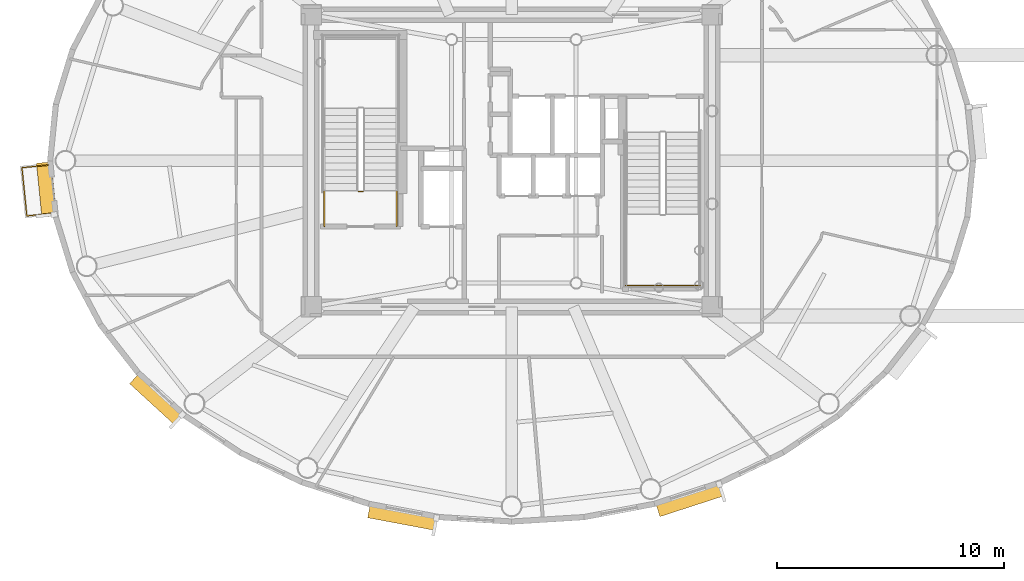
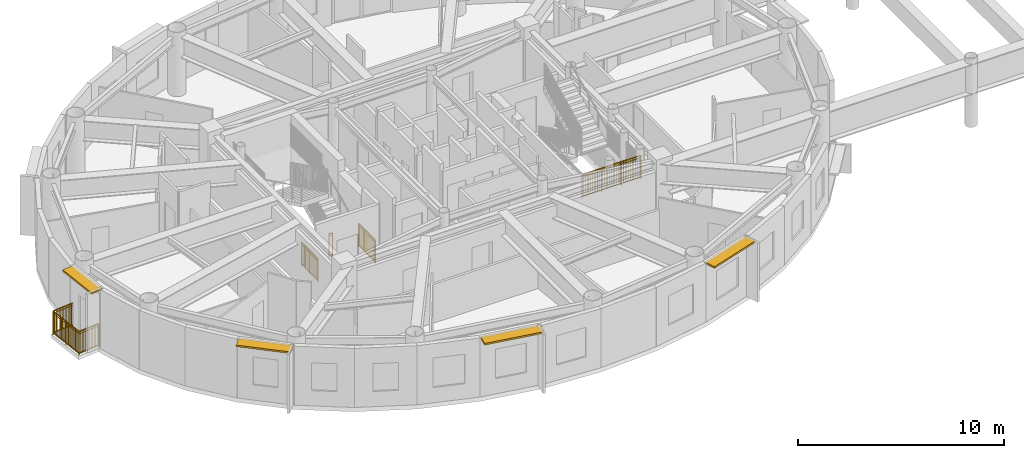
# One storey, part 11 of 16: 5 railings, 4 shading devices.
"""IFC4 building model written with IfcOpenShell, lengths in metres."""

from ifc_helpers import new_model, si_unit, direction, frame, origin, origin_2d, place, context, subcontext, project, spatial, rectangle, extrude, source, transform, mapped, material, layer, layer_set, type_object, element, save


model = new_model("IFC4")

# Units and contexts
model_context = context("Model", 3, precision=1e-05, world=origin(), true_north=direction((0.0, 1.0)))
body_context = subcontext(model_context, "Body", "Model", "MODEL_VIEW")
ifc_project = project(units=[si_unit("LENGTHUNIT", "METRE"), si_unit("AREAUNIT", "SQUARE_METRE"), si_unit("VOLUMEUNIT", "CUBIC_METRE"), si_unit("PLANEANGLEUNIT", "RADIAN"), si_unit("MASSUNIT", "GRAM", prefix="KILO")], contexts=[model_context])

# Site, building, storey
site_placement = place(None, origin())
site = spatial("IfcSite", under=ifc_project, at=site_placement, CompositionType="ELEMENT")
building_placement = place(site_placement, origin())
building = spatial("IfcBuilding", under=site, at=building_placement, Name="Linh Dai School and Residence Tower", CompositionType="ELEMENT")
storey_placement = place(building_placement, frame((0.0, 0.0, 343.0)))
storey = spatial("IfcBuildingStorey", under=building, at=storey_placement, Name="L85", CompositionType="ELEMENT", Elevation=343.0)

# Shading devices
ifc_material_1 = material(Name="Terracotta Ceramic Sunshade", Category="masonry")
ifc_layer = layer(ifc_material_1, 0.10009765625)
ifc_layer_set = layer_set([ifc_layer], Name="Terracotta Ceramic Sunshade")
shading_device_type = type_object("IfcShadingDeviceType", Name="SHD-TC-650", PredefinedType="USERDEFINED", material=ifc_layer_set)
shared_shape_1 = source(origin(), body_context, "Body", "SweptSolid", [
    extrude(rectangle(XDim=2.3994140625, YDim=0.64990234375, at=origin_2d()), origin(), (0.0, 0.0, 1.0), 0.10009765625),
])
shading_device_1_placement = place(storey_placement, frame((15.46630859375, 25.72802734375, 3.3798828125), z_axis=(0.0, 0.0, 1.0), x_axis=(-0.099991763355, 0.994988264886, 0.0)))
element("IfcShadingDevice", 1, at=shading_device_1_placement, inside=storey, type_object=shading_device_type, Name="L85 Terracotta Horizontal Sunshade Band 21", ObjectType="SUNSHADE", PredefinedType="USERDEFINED", context=body_context, shape_type="MappedRepresentation", body=[
    mapped(shared_shape_1, transform((0.0, 0.0, 0.0), x_axis=(1.0, 0.0, 0.0), y_axis=(0.0, 1.0, 0.0), z_axis=(0.0, 0.0, 1.0), scale=1.0)),
])
shared_shape_2 = source(origin(), body_context, "Body", "SweptSolid", [
    extrude(rectangle(XDim=2.7021484375, YDim=0.64990234375, at=origin_2d()), origin(), (0.0, 0.0, 1.0), 0.10009765625),
])
shading_device_2_placement = place(storey_placement, frame((20.3515625, 16.48681640625, 3.3798828125), z_axis=(0.0, 0.0, 1.0), x_axis=(-0.73704750866, 0.675840935412, 0.0)))
element("IfcShadingDevice", 2, at=shading_device_2_placement, inside=storey, type_object=shading_device_type, Name="L85 Terracotta Horizontal Sunshade Band 25", ObjectType="SUNSHADE", PredefinedType="USERDEFINED", context=body_context, shape_type="MappedRepresentation", body=[
    mapped(shared_shape_2, transform((0.0, 0.0, 0.0), x_axis=(1.0, 0.0, 0.0), y_axis=(0.0, 1.0, 0.0), z_axis=(0.0, 0.0, 1.0), scale=1.0)),
])
shared_shape_3 = source(origin(), body_context, "Body", "SweptSolid", [
    extrude(rectangle(XDim=3.040283203125, YDim=0.64990234375, at=origin_2d()), origin(), (0.0, 0.0, 1.0), 0.10009765625),
])
shading_device_3_placement = place(storey_placement, frame((31.199462890625, 11.279296875, 3.3798828125), z_axis=(0.0, 0.0, 1.0), x_axis=(-0.982779051851, 0.184784564405, 0.0)))
element("IfcShadingDevice", 3, at=shading_device_3_placement, inside=storey, type_object=shading_device_type, Name="L85 Terracotta Horizontal Sunshade Band 29", ObjectType="SUNSHADE", PredefinedType="USERDEFINED", context=body_context, shape_type="MappedRepresentation", body=[
    mapped(shared_shape_3, transform((0.0, 0.0, 0.0), x_axis=(1.0, 0.0, 0.0), y_axis=(0.0, 1.0, 0.0), z_axis=(0.0, 0.0, 1.0), scale=1.0)),
])
shared_shape_4 = source(origin(), body_context, "Body", "SweptSolid", [
    extrude(rectangle(XDim=2.98388671875, YDim=0.64990234375, at=origin_2d()), origin(), (0.0, 0.0, 1.0), 0.10009765625),
])
shading_device_4_placement = place(storey_placement, frame((43.8701171875, 12.060302734375, 3.3798828125), z_axis=(0.0, 0.0, 1.0), x_axis=(-0.951203168298, -0.30856528097, 0.0)))
element("IfcShadingDevice", 4, at=shading_device_4_placement, inside=storey, type_object=shading_device_type, Name="L85 Terracotta Horizontal Sunshade Band 33", ObjectType="SUNSHADE", PredefinedType="USERDEFINED", context=body_context, shape_type="MappedRepresentation", body=[
    mapped(shared_shape_4, transform((0.0, 0.0, 0.0), x_axis=(1.0, 0.0, 0.0), y_axis=(0.0, 1.0, 0.0), z_axis=(0.0, 0.0, 1.0), scale=1.0)),
])

# Railings
ifc_material_2 = material(Name="Structural Steel S355JR", Category="steel")
railing_type_1 = type_object("IfcRailingType", Name="RL-BAL-1400", PredefinedType="BALUSTRADE", material=ifc_material_2)
shared_shape_5 = source(origin(), body_context, "Body", "SweptSolid", [
    extrude(rectangle(XDim=0.048095703125, YDim=0.048095703125, at=origin_2d()), frame((0.0, 0.0, 1.3759765625), z_axis=(-0.994996143538, -0.099913334164, 0.0), x_axis=(0.099913334164, -0.994996143538, 0.0)), (0.0, 0.0, 1.0), 1.18017578125),
    extrude(rectangle(XDim=0.048095703125, YDim=0.048095703125, at=origin_2d()), frame((0.0, 0.0, 0.10009765625), z_axis=(-0.994996143538, -0.099913334164, 0.0), x_axis=(0.099913334164, -0.994996143538, 0.0)), (0.0, 0.0, 1.0), 1.18017578125),
    extrude(rectangle(XDim=0.030029296875, YDim=0.030029296875, at=origin_2d()), frame((0.0, 0.0, 1.239990234375), z_axis=(-0.994996143538, -0.099913334164, 0.0), x_axis=(0.099913334164, -0.994996143538, 0.0)), (0.0, 0.0, 1.0), 1.18017578125),
    extrude(rectangle(XDim=0.02001953125, YDim=0.02001953125, at=origin_2d()), frame((-0.09033203125, -0.009033203125, 0.10009765625)), (0.0, 0.0, 1.0), 1.251708984375),
    extrude(rectangle(XDim=0.02001953125, YDim=0.02001953125, at=origin_2d()), frame((-0.1806640625, -0.01806640625, 0.10009765625)), (0.0, 0.0, 1.0), 1.251708984375),
    extrude(rectangle(XDim=0.02001953125, YDim=0.02001953125, at=origin_2d()), frame((-0.27099609375, -0.027099609375, 0.10009765625)), (0.0, 0.0, 1.0), 1.251708984375),
    extrude(rectangle(XDim=0.02001953125, YDim=0.02001953125, at=origin_2d()), frame((-0.361328125, -0.036376953125, 0.10009765625)), (0.0, 0.0, 1.0), 1.251708984375),
    extrude(rectangle(XDim=0.02001953125, YDim=0.02001953125, at=origin_2d()), frame((-0.45166015625, -0.04541015625, 0.10009765625)), (0.0, 0.0, 1.0), 1.251708984375),
    extrude(rectangle(XDim=0.02001953125, YDim=0.02001953125, at=origin_2d()), frame((-0.5419921875, -0.054443359375, 0.10009765625)), (0.0, 0.0, 1.0), 1.251708984375),
    extrude(rectangle(XDim=0.02001953125, YDim=0.02001953125, at=origin_2d()), frame((-0.63232421875, -0.0634765625, 0.10009765625)), (0.0, 0.0, 1.0), 1.251708984375),
    extrude(rectangle(XDim=0.02001953125, YDim=0.02001953125, at=origin_2d()), frame((-0.72265625, -0.072509765625, 0.10009765625)), (0.0, 0.0, 1.0), 1.251708984375),
    extrude(rectangle(XDim=0.02001953125, YDim=0.02001953125, at=origin_2d()), frame((-0.81298828125, -0.08154296875, 0.10009765625)), (0.0, 0.0, 1.0), 1.251708984375),
    extrude(rectangle(XDim=0.02001953125, YDim=0.02001953125, at=origin_2d()), frame((-0.9033203125, -0.0908203125, 0.10009765625)), (0.0, 0.0, 1.0), 1.251708984375),
    extrude(rectangle(XDim=0.02001953125, YDim=0.02001953125, at=origin_2d()), frame((-0.99365234375, -0.099853515625, 0.10009765625)), (0.0, 0.0, 1.0), 1.251708984375),
    extrude(rectangle(XDim=0.02001953125, YDim=0.02001953125, at=origin_2d()), frame((-1.083984375, -0.10888671875, 0.10009765625)), (0.0, 0.0, 1.0), 1.251708984375),
    extrude(rectangle(XDim=0.048095703125, YDim=0.048095703125, at=origin_2d()), frame((-1.17431640625, -0.117919921875, 1.3759765625), z_axis=(-0.099978309742, 0.994989616821, 0.0), x_axis=(-0.994989616821, -0.099978309742, 0.0)), (0.0, 0.0, 1.0), 2.13916015625),
    extrude(rectangle(XDim=0.048095703125, YDim=0.048095703125, at=origin_2d()), frame((-1.17431640625, -0.117919921875, 0.10009765625), z_axis=(-0.099978309742, 0.994989616821, 0.0), x_axis=(-0.994989616821, -0.099978309742, 0.0)), (0.0, 0.0, 1.0), 2.13916015625),
    extrude(rectangle(XDim=0.030029296875, YDim=0.030029296875, at=origin_2d()), frame((-1.17431640625, -0.117919921875, 1.239990234375), z_axis=(-0.099978309742, 0.994989616821, 0.0), x_axis=(-0.994989616821, -0.099978309742, 0.0)), (0.0, 0.0, 1.0), 2.13916015625),
    extrude(rectangle(XDim=0.02001953125, YDim=0.02001953125, at=origin_2d()), frame((-1.18408203125, -0.021240234375, 0.10009765625)), (0.0, 0.0, 1.0), 1.251708984375),
    extrude(rectangle(XDim=0.02001953125, YDim=0.02001953125, at=origin_2d()), frame((-1.19384765625, 0.07568359375, 0.10009765625)), (0.0, 0.0, 1.0), 1.251708984375),
    extrude(rectangle(XDim=0.02001953125, YDim=0.02001953125, at=origin_2d()), frame((-1.203369140625, 0.17236328125, 0.10009765625)), (0.0, 0.0, 1.0), 1.251708984375),
    extrude(rectangle(XDim=0.02001953125, YDim=0.02001953125, at=origin_2d()), frame((-1.213134765625, 0.26904296875, 0.10009765625)), (0.0, 0.0, 1.0), 1.251708984375),
    extrude(rectangle(XDim=0.02001953125, YDim=0.02001953125, at=origin_2d()), frame((-1.222900390625, 0.36572265625, 0.10009765625)), (0.0, 0.0, 1.0), 1.251708984375),
    extrude(rectangle(XDim=0.02001953125, YDim=0.02001953125, at=origin_2d()), frame((-1.232666015625, 0.462646484375, 0.10009765625)), (0.0, 0.0, 1.0), 1.251708984375),
    extrude(rectangle(XDim=0.02001953125, YDim=0.02001953125, at=origin_2d()), frame((-1.242431640625, 0.559326171875, 0.10009765625)), (0.0, 0.0, 1.0), 1.251708984375),
    extrude(rectangle(XDim=0.02001953125, YDim=0.02001953125, at=origin_2d()), frame((-1.252197265625, 0.656005859375, 0.10009765625)), (0.0, 0.0, 1.0), 1.251708984375),
    extrude(rectangle(XDim=0.02001953125, YDim=0.02001953125, at=origin_2d()), frame((-1.26171875, 0.752685546875, 0.10009765625)), (0.0, 0.0, 1.0), 1.251708984375),
    extrude(rectangle(XDim=0.02001953125, YDim=0.02001953125, at=origin_2d()), frame((-1.271484375, 0.849609375, 0.10009765625)), (0.0, 0.0, 1.0), 1.251708984375),
    extrude(rectangle(XDim=0.02001953125, YDim=0.02001953125, at=origin_2d()), frame((-1.291015625, 1.04296875, 0.10009765625)), (0.0, 0.0, 1.0), 1.251708984375),
    extrude(rectangle(XDim=0.02001953125, YDim=0.02001953125, at=origin_2d()), frame((-1.30078125, 1.139892578125, 0.10009765625)), (0.0, 0.0, 1.0), 1.251708984375),
    extrude(rectangle(XDim=0.02001953125, YDim=0.02001953125, at=origin_2d()), frame((-1.310302734375, 1.236572265625, 0.10009765625)), (0.0, 0.0, 1.0), 1.251708984375),
    extrude(rectangle(XDim=0.02001953125, YDim=0.02001953125, at=origin_2d()), frame((-1.320068359375, 1.333251953125, 0.10009765625)), (0.0, 0.0, 1.0), 1.251708984375),
    extrude(rectangle(XDim=0.02001953125, YDim=0.02001953125, at=origin_2d()), frame((-1.329833984375, 1.429931640625, 0.10009765625)), (0.0, 0.0, 1.0), 1.251708984375),
    extrude(rectangle(XDim=0.02001953125, YDim=0.02001953125, at=origin_2d()), frame((-1.339599609375, 1.52685546875, 0.10009765625)), (0.0, 0.0, 1.0), 1.251708984375),
    extrude(rectangle(XDim=0.02001953125, YDim=0.02001953125, at=origin_2d()), frame((-1.349365234375, 1.62353515625, 0.10009765625)), (0.0, 0.0, 1.0), 1.251708984375),
    extrude(rectangle(XDim=0.02001953125, YDim=0.02001953125, at=origin_2d()), frame((-1.359130859375, 1.72021484375, 0.10009765625)), (0.0, 0.0, 1.0), 1.251708984375),
    extrude(rectangle(XDim=0.02001953125, YDim=0.02001953125, at=origin_2d()), frame((-1.36865234375, 1.81689453125, 0.10009765625)), (0.0, 0.0, 1.0), 1.251708984375),
    extrude(rectangle(XDim=0.02001953125, YDim=0.02001953125, at=origin_2d()), frame((-1.37841796875, 1.913818359375, 0.10009765625)), (0.0, 0.0, 1.0), 1.251708984375),
    extrude(rectangle(XDim=0.048095703125, YDim=0.048095703125, at=origin_2d()), frame((-1.38818359375, 2.010498046875, 1.3759765625), z_axis=(0.99497348416, 0.100138732862, 0.0), x_axis=(-0.100138732862, 0.99497348416, 0.0)), (0.0, 0.0, 1.0), 1.179931640625),
    extrude(rectangle(XDim=0.048095703125, YDim=0.048095703125, at=origin_2d()), frame((-1.38818359375, 2.010498046875, 0.10009765625), z_axis=(0.99497348416, 0.100138732862, 0.0), x_axis=(-0.100138732862, 0.99497348416, 0.0)), (0.0, 0.0, 1.0), 1.179931640625),
    extrude(rectangle(XDim=0.030029296875, YDim=0.030029296875, at=origin_2d()), frame((-1.38818359375, 2.010498046875, 1.239990234375), z_axis=(0.99497348416, 0.100138732862, 0.0), x_axis=(-0.100138732862, 0.99497348416, 0.0)), (0.0, 0.0, 1.0), 1.179931640625),
    extrude(rectangle(XDim=0.02001953125, YDim=0.02001953125, at=origin_2d()), frame((-1.2978515625, 2.01953125, 0.10009765625)), (0.0, 0.0, 1.0), 1.251708984375),
    extrude(rectangle(XDim=0.02001953125, YDim=0.02001953125, at=origin_2d()), frame((-1.20751953125, 2.028564453125, 0.10009765625)), (0.0, 0.0, 1.0), 1.251708984375),
    extrude(rectangle(XDim=0.02001953125, YDim=0.02001953125, at=origin_2d()), frame((-1.1171875, 2.037841796875, 0.10009765625)), (0.0, 0.0, 1.0), 1.251708984375),
    extrude(rectangle(XDim=0.02001953125, YDim=0.02001953125, at=origin_2d()), frame((-1.02685546875, 2.046875, 0.10009765625)), (0.0, 0.0, 1.0), 1.251708984375),
    extrude(rectangle(XDim=0.02001953125, YDim=0.02001953125, at=origin_2d()), frame((-0.9365234375, 2.055908203125, 0.10009765625)), (0.0, 0.0, 1.0), 1.251708984375),
    extrude(rectangle(XDim=0.02001953125, YDim=0.02001953125, at=origin_2d()), frame((-0.84619140625, 2.06494140625, 0.10009765625)), (0.0, 0.0, 1.0), 1.251708984375),
    extrude(rectangle(XDim=0.02001953125, YDim=0.02001953125, at=origin_2d()), frame((-0.756103515625, 2.07421875, 0.10009765625)), (0.0, 0.0, 1.0), 1.251708984375),
    extrude(rectangle(XDim=0.02001953125, YDim=0.02001953125, at=origin_2d()), frame((-0.665771484375, 2.083251953125, 0.10009765625)), (0.0, 0.0, 1.0), 1.251708984375),
    extrude(rectangle(XDim=0.02001953125, YDim=0.02001953125, at=origin_2d()), frame((-0.575439453125, 2.09228515625, 0.10009765625)), (0.0, 0.0, 1.0), 1.251708984375),
    extrude(rectangle(XDim=0.02001953125, YDim=0.02001953125, at=origin_2d()), frame((-0.485107421875, 2.101318359375, 0.10009765625)), (0.0, 0.0, 1.0), 1.251708984375),
    extrude(rectangle(XDim=0.02001953125, YDim=0.02001953125, at=origin_2d()), frame((-0.394775390625, 2.110595703125, 0.10009765625)), (0.0, 0.0, 1.0), 1.251708984375),
    extrude(rectangle(XDim=0.02001953125, YDim=0.02001953125, at=origin_2d()), frame((-0.304443359375, 2.11962890625, 0.10009765625)), (0.0, 0.0, 1.0), 1.251708984375),
    extrude(rectangle(XDim=0.0419921875, YDim=0.0419921875, at=origin_2d()), origin(), (0.0, 0.0, 1.0), 1.3759765625),
    extrude(rectangle(XDim=0.0419921875, YDim=0.0419921875, at=origin_2d()), frame((-1.17431640625, -0.117919921875, 0.0)), (0.0, 0.0, 1.0), 1.3759765625),
    extrude(rectangle(XDim=0.0419921875, YDim=0.0419921875, at=origin_2d()), frame((-1.28125, 0.9462890625, 0.0)), (0.0, 0.0, 1.0), 1.3759765625),
    extrude(rectangle(XDim=0.0419921875, YDim=0.0419921875, at=origin_2d()), frame((-1.38818359375, 2.010498046875, 0.0)), (0.0, 0.0, 1.0), 1.3759765625),
    extrude(rectangle(XDim=0.0419921875, YDim=0.0419921875, at=origin_2d()), frame((-0.214111328125, 2.128662109375, 0.0)), (0.0, 0.0, 1.0), 1.3759765625),
])
railing_1_placement = place(storey_placement, frame((15.7724609375, 24.683837890625, 0.0)))
element("IfcRailing", 5, at=railing_1_placement, inside=storey, type_object=railing_type_1, Name="L85 Balcony Safety Balustrade 21", PredefinedType="BALUSTRADE", context=body_context, shape_type="MappedRepresentation", body=[
    mapped(shared_shape_5, transform((0.0, 0.0, 0.0), x_axis=(1.0, 0.0, 0.0), y_axis=(0.0, 1.0, 0.0), z_axis=(0.0, 0.0, 1.0), scale=1.0)),
])
railing_type_2 = type_object("IfcRailingType", Name="RL-ST-GUARD-1400", PredefinedType="GUARDRAIL", material=ifc_material_2)
shared_shape_6 = source(origin(), body_context, "Body", "SweptSolid", [
    extrude(rectangle(XDim=0.048095703125, YDim=0.048095703125, at=origin_2d()), frame((0.0, 0.0, 1.3759765625), z_axis=(-1.0, 0.0, 0.0), x_axis=(0.0, -1.0, 0.0)), (0.0, 0.0, 1.0), 0.199951171875),
    extrude(rectangle(XDim=0.048095703125, YDim=0.048095703125, at=origin_2d()), frame((0.0, 0.0, 0.10009765625), z_axis=(-1.0, 0.0, 0.0), x_axis=(0.0, -1.0, 0.0)), (0.0, 0.0, 1.0), 0.199951171875),
    extrude(rectangle(XDim=0.030029296875, YDim=0.030029296875, at=origin_2d()), frame((0.0, 0.0, 1.239990234375), z_axis=(-1.0, 0.0, 0.0), x_axis=(0.0, -1.0, 0.0)), (0.0, 0.0, 1.0), 0.199951171875),
    extrude(rectangle(XDim=0.0419921875, YDim=0.0419921875, at=origin_2d()), origin(), (0.0, 0.0, 1.0), 1.3759765625),
    extrude(rectangle(XDim=0.0419921875, YDim=0.0419921875, at=origin_2d()), frame((-0.199951171875, 0.0, 0.0)), (0.0, 0.0, 1.0), 1.3759765625),
])
railing_2_placement = place(storey_placement, frame((29.429931640625, 25.64990234375, 0.0)))
element("IfcRailing", 6, at=railing_2_placement, inside=storey, type_object=railing_type_2, Name="L85 ST1 stair guard 7", PredefinedType="GUARDRAIL", context=body_context, shape_type="MappedRepresentation", body=[
    mapped(shared_shape_6, transform((0.0, 0.0, 0.0), x_axis=(1.0, 0.0, 0.0), y_axis=(0.0, 1.0, 0.0), z_axis=(0.0, 0.0, 1.0), scale=1.0)),
])
shared_shape_7 = source(origin(), body_context, "Body", "SweptSolid", [
    extrude(rectangle(XDim=0.048095703125, YDim=0.048095703125, at=origin_2d()), frame((0.0, 0.0, 1.3759765625), z_axis=(0.0, 1.0, 0.0), x_axis=(-1.0, 0.0, 0.0)), (0.0, 0.0, 1.0), 1.599853515625),
    extrude(rectangle(XDim=0.048095703125, YDim=0.048095703125, at=origin_2d()), frame((0.0, 0.0, 0.10009765625), z_axis=(0.0, 1.0, 0.0), x_axis=(-1.0, 0.0, 0.0)), (0.0, 0.0, 1.0), 1.599853515625),
    extrude(rectangle(XDim=0.030029296875, YDim=0.030029296875, at=origin_2d()), frame((0.0, 0.0, 1.239990234375), z_axis=(0.0, 1.0, 0.0), x_axis=(-1.0, 0.0, 0.0)), (0.0, 0.0, 1.0), 1.599853515625),
    extrude(rectangle(XDim=0.02001953125, YDim=0.02001953125, at=origin_2d()), frame((0.0, 0.093994140625, 0.10009765625)), (0.0, 0.0, 1.0), 1.251708984375),
    extrude(rectangle(XDim=0.02001953125, YDim=0.02001953125, at=origin_2d()), frame((0.0, 0.188232421875, 0.10009765625)), (0.0, 0.0, 1.0), 1.251708984375),
    extrude(rectangle(XDim=0.02001953125, YDim=0.02001953125, at=origin_2d()), frame((0.0, 0.2822265625, 0.10009765625)), (0.0, 0.0, 1.0), 1.251708984375),
    extrude(rectangle(XDim=0.02001953125, YDim=0.02001953125, at=origin_2d()), frame((0.0, 0.37646484375, 0.10009765625)), (0.0, 0.0, 1.0), 1.251708984375),
    extrude(rectangle(XDim=0.02001953125, YDim=0.02001953125, at=origin_2d()), frame((0.0, 0.470458984375, 0.10009765625)), (0.0, 0.0, 1.0), 1.251708984375),
    extrude(rectangle(XDim=0.02001953125, YDim=0.02001953125, at=origin_2d()), frame((0.0, 0.564697265625, 0.10009765625)), (0.0, 0.0, 1.0), 1.251708984375),
    extrude(rectangle(XDim=0.02001953125, YDim=0.02001953125, at=origin_2d()), frame((0.0, 0.65869140625, 0.10009765625)), (0.0, 0.0, 1.0), 1.251708984375),
    extrude(rectangle(XDim=0.02001953125, YDim=0.02001953125, at=origin_2d()), frame((0.0, 0.7529296875, 0.10009765625)), (0.0, 0.0, 1.0), 1.251708984375),
    extrude(rectangle(XDim=0.02001953125, YDim=0.02001953125, at=origin_2d()), frame((0.0, 0.846923828125, 0.10009765625)), (0.0, 0.0, 1.0), 1.251708984375),
    extrude(rectangle(XDim=0.02001953125, YDim=0.02001953125, at=origin_2d()), frame((0.0, 0.941162109375, 0.10009765625)), (0.0, 0.0, 1.0), 1.251708984375),
    extrude(rectangle(XDim=0.02001953125, YDim=0.02001953125, at=origin_2d()), frame((0.0, 1.03515625, 0.10009765625)), (0.0, 0.0, 1.0), 1.251708984375),
    extrude(rectangle(XDim=0.02001953125, YDim=0.02001953125, at=origin_2d()), frame((0.0, 1.12939453125, 0.10009765625)), (0.0, 0.0, 1.0), 1.251708984375),
    extrude(rectangle(XDim=0.02001953125, YDim=0.02001953125, at=origin_2d()), frame((0.0, 1.223388671875, 0.10009765625)), (0.0, 0.0, 1.0), 1.251708984375),
    extrude(rectangle(XDim=0.02001953125, YDim=0.02001953125, at=origin_2d()), frame((0.0, 1.317626953125, 0.10009765625)), (0.0, 0.0, 1.0), 1.251708984375),
    extrude(rectangle(XDim=0.02001953125, YDim=0.02001953125, at=origin_2d()), frame((0.0, 1.41162109375, 0.10009765625)), (0.0, 0.0, 1.0), 1.251708984375),
    extrude(rectangle(XDim=0.02001953125, YDim=0.02001953125, at=origin_2d()), frame((0.0, 1.505859375, 0.10009765625)), (0.0, 0.0, 1.0), 1.251708984375),
    extrude(rectangle(XDim=0.0419921875, YDim=0.0419921875, at=origin_2d()), origin(), (0.0, 0.0, 1.0), 1.3759765625),
    extrude(rectangle(XDim=0.0419921875, YDim=0.0419921875, at=origin_2d()), frame((0.0, 0.7998046875, 0.0)), (0.0, 0.0, 1.0), 1.3759765625),
    extrude(rectangle(XDim=0.0419921875, YDim=0.0419921875, at=origin_2d()), frame((0.0, 1.599853515625, 0.0)), (0.0, 0.0, 1.0), 1.3759765625),
])
for number, where, name in (
    (7, (30.929931640625, 24.10009765625, 0.0), "L85 ST1 stair guard 8"),
    (8, (27.72998046875, 24.10009765625, 0.0), "L85 ST1 stair guard 9"),
):
    element("IfcRailing", number, at=place(storey_placement, frame(where)), inside=storey, type_object=railing_type_2, Name=name, PredefinedType="GUARDRAIL", context=body_context, shape_type="MappedRepresentation", body=[
        mapped(shared_shape_7, transform((0.0, 0.0, 0.0), x_axis=(1.0, 0.0, 0.0), y_axis=(0.0, 1.0, 0.0), z_axis=(0.0, 0.0, 1.0), scale=1.0)),
    ])
shared_shape_8 = source(origin(), body_context, "Body", "SweptSolid", [
    extrude(rectangle(XDim=0.048095703125, YDim=0.048095703125, at=origin_2d()), frame((0.0, 0.0, 1.3759765625), z_axis=(1.0, 0.0, 0.0), x_axis=(0.0, 1.0, 0.0)), (0.0, 0.0, 1.0), 3.300048828125),
    extrude(rectangle(XDim=0.048095703125, YDim=0.048095703125, at=origin_2d()), frame((0.0, 0.0, 0.10009765625), z_axis=(1.0, 0.0, 0.0), x_axis=(0.0, 1.0, 0.0)), (0.0, 0.0, 1.0), 3.300048828125),
    extrude(rectangle(XDim=0.030029296875, YDim=0.030029296875, at=origin_2d()), frame((0.0, 0.0, 1.239990234375), z_axis=(1.0, 0.0, 0.0), x_axis=(0.0, 1.0, 0.0)), (0.0, 0.0, 1.0), 3.300048828125),
    extrude(rectangle(XDim=0.02001953125, YDim=0.02001953125, at=origin_2d()), frame((0.09716796875, 0.0, 0.10009765625)), (0.0, 0.0, 1.0), 1.251708984375),
    extrude(rectangle(XDim=0.02001953125, YDim=0.02001953125, at=origin_2d()), frame((0.194091796875, 0.0, 0.10009765625)), (0.0, 0.0, 1.0), 1.251708984375),
    extrude(rectangle(XDim=0.02001953125, YDim=0.02001953125, at=origin_2d()), frame((0.291259765625, 0.0, 0.10009765625)), (0.0, 0.0, 1.0), 1.251708984375),
    extrude(rectangle(XDim=0.02001953125, YDim=0.02001953125, at=origin_2d()), frame((0.38818359375, 0.0, 0.10009765625)), (0.0, 0.0, 1.0), 1.251708984375),
    extrude(rectangle(XDim=0.02001953125, YDim=0.02001953125, at=origin_2d()), frame((0.4853515625, 0.0, 0.10009765625)), (0.0, 0.0, 1.0), 1.251708984375),
    extrude(rectangle(XDim=0.02001953125, YDim=0.02001953125, at=origin_2d()), frame((0.582275390625, 0.0, 0.10009765625)), (0.0, 0.0, 1.0), 1.251708984375),
    extrude(rectangle(XDim=0.02001953125, YDim=0.02001953125, at=origin_2d()), frame((0.679443359375, 0.0, 0.10009765625)), (0.0, 0.0, 1.0), 1.251708984375),
    extrude(rectangle(XDim=0.02001953125, YDim=0.02001953125, at=origin_2d()), frame((0.7763671875, 0.0, 0.10009765625)), (0.0, 0.0, 1.0), 1.251708984375),
    extrude(rectangle(XDim=0.02001953125, YDim=0.02001953125, at=origin_2d()), frame((0.87353515625, 0.0, 0.10009765625)), (0.0, 0.0, 1.0), 1.251708984375),
    extrude(rectangle(XDim=0.02001953125, YDim=0.02001953125, at=origin_2d()), frame((0.970703125, 0.0, 0.10009765625)), (0.0, 0.0, 1.0), 1.251708984375),
    extrude(rectangle(XDim=0.02001953125, YDim=0.02001953125, at=origin_2d()), frame((1.164794921875, 0.0, 0.10009765625)), (0.0, 0.0, 1.0), 1.251708984375),
    extrude(rectangle(XDim=0.02001953125, YDim=0.02001953125, at=origin_2d()), frame((1.26171875, 0.0, 0.10009765625)), (0.0, 0.0, 1.0), 1.251708984375),
    extrude(rectangle(XDim=0.02001953125, YDim=0.02001953125, at=origin_2d()), frame((1.35888671875, 0.0, 0.10009765625)), (0.0, 0.0, 1.0), 1.251708984375),
    extrude(rectangle(XDim=0.02001953125, YDim=0.02001953125, at=origin_2d()), frame((1.455810546875, 0.0, 0.10009765625)), (0.0, 0.0, 1.0), 1.251708984375),
    extrude(rectangle(XDim=0.02001953125, YDim=0.02001953125, at=origin_2d()), frame((1.552978515625, 0.0, 0.10009765625)), (0.0, 0.0, 1.0), 1.251708984375),
    extrude(rectangle(XDim=0.02001953125, YDim=0.02001953125, at=origin_2d()), frame((1.64990234375, 0.0, 0.10009765625)), (0.0, 0.0, 1.0), 1.251708984375),
    extrude(rectangle(XDim=0.02001953125, YDim=0.02001953125, at=origin_2d()), frame((1.7470703125, 0.0, 0.10009765625)), (0.0, 0.0, 1.0), 1.251708984375),
    extrude(rectangle(XDim=0.02001953125, YDim=0.02001953125, at=origin_2d()), frame((1.84423828125, 0.0, 0.10009765625)), (0.0, 0.0, 1.0), 1.251708984375),
    extrude(rectangle(XDim=0.02001953125, YDim=0.02001953125, at=origin_2d()), frame((1.941162109375, 0.0, 0.10009765625)), (0.0, 0.0, 1.0), 1.251708984375),
    extrude(rectangle(XDim=0.02001953125, YDim=0.02001953125, at=origin_2d()), frame((2.038330078125, 0.0, 0.10009765625)), (0.0, 0.0, 1.0), 1.251708984375),
    extrude(rectangle(XDim=0.02001953125, YDim=0.02001953125, at=origin_2d()), frame((2.13525390625, 0.0, 0.10009765625)), (0.0, 0.0, 1.0), 1.251708984375),
    extrude(rectangle(XDim=0.02001953125, YDim=0.02001953125, at=origin_2d()), frame((2.329345703125, 0.0, 0.10009765625)), (0.0, 0.0, 1.0), 1.251708984375),
    extrude(rectangle(XDim=0.02001953125, YDim=0.02001953125, at=origin_2d()), frame((2.426513671875, 0.0, 0.10009765625)), (0.0, 0.0, 1.0), 1.251708984375),
    extrude(rectangle(XDim=0.02001953125, YDim=0.02001953125, at=origin_2d()), frame((2.523681640625, 0.0, 0.10009765625)), (0.0, 0.0, 1.0), 1.251708984375),
    extrude(rectangle(XDim=0.02001953125, YDim=0.02001953125, at=origin_2d()), frame((2.62060546875, 0.0, 0.10009765625)), (0.0, 0.0, 1.0), 1.251708984375),
    extrude(rectangle(XDim=0.02001953125, YDim=0.02001953125, at=origin_2d()), frame((2.7177734375, 0.0, 0.10009765625)), (0.0, 0.0, 1.0), 1.251708984375),
    extrude(rectangle(XDim=0.02001953125, YDim=0.02001953125, at=origin_2d()), frame((2.814697265625, 0.0, 0.10009765625)), (0.0, 0.0, 1.0), 1.251708984375),
    extrude(rectangle(XDim=0.02001953125, YDim=0.02001953125, at=origin_2d()), frame((2.911865234375, 0.0, 0.10009765625)), (0.0, 0.0, 1.0), 1.251708984375),
    extrude(rectangle(XDim=0.02001953125, YDim=0.02001953125, at=origin_2d()), frame((3.0087890625, 0.0, 0.10009765625)), (0.0, 0.0, 1.0), 1.251708984375),
    extrude(rectangle(XDim=0.02001953125, YDim=0.02001953125, at=origin_2d()), frame((3.10595703125, 0.0, 0.10009765625)), (0.0, 0.0, 1.0), 1.251708984375),
    extrude(rectangle(XDim=0.02001953125, YDim=0.02001953125, at=origin_2d()), frame((3.202880859375, 0.0, 0.10009765625)), (0.0, 0.0, 1.0), 1.251708984375),
    extrude(rectangle(XDim=0.0419921875, YDim=0.0419921875, at=origin_2d()), origin(), (0.0, 0.0, 1.0), 1.3759765625),
    extrude(rectangle(XDim=0.0419921875, YDim=0.0419921875, at=origin_2d()), frame((1.10009765625, 0.0, 0.0)), (0.0, 0.0, 1.0), 1.3759765625),
    extrude(rectangle(XDim=0.0419921875, YDim=0.0419921875, at=origin_2d()), frame((2.199951171875, 0.0, 0.0)), (0.0, 0.0, 1.0), 1.3759765625),
    extrude(rectangle(XDim=0.0419921875, YDim=0.0419921875, at=origin_2d()), frame((3.300048828125, 0.0, 0.0)), (0.0, 0.0, 1.0), 1.3759765625),
])
railing_3_placement = place(storey_placement, frame((41.02001953125, 21.5, 1.89990234375)))
element("IfcRailing", 9, at=railing_3_placement, inside=storey, type_object=railing_type_2, Name="L85 ST2 stair guard 5", PredefinedType="GUARDRAIL", context=body_context, shape_type="MappedRepresentation", body=[
    mapped(shared_shape_8, transform((0.0, 0.0, 0.0), x_axis=(1.0, 0.0, 0.0), y_axis=(0.0, 1.0, 0.0), z_axis=(0.0, 0.0, 1.0), scale=1.0)),
])

save(model, "model.ifc")
